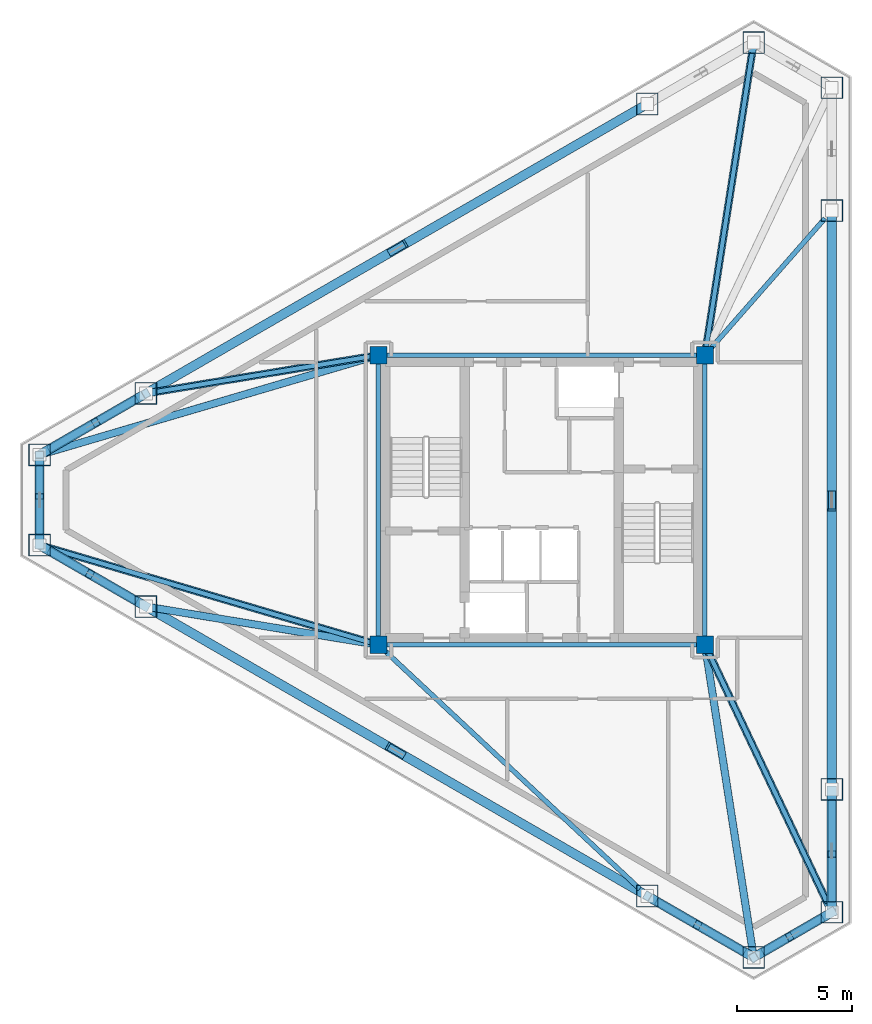
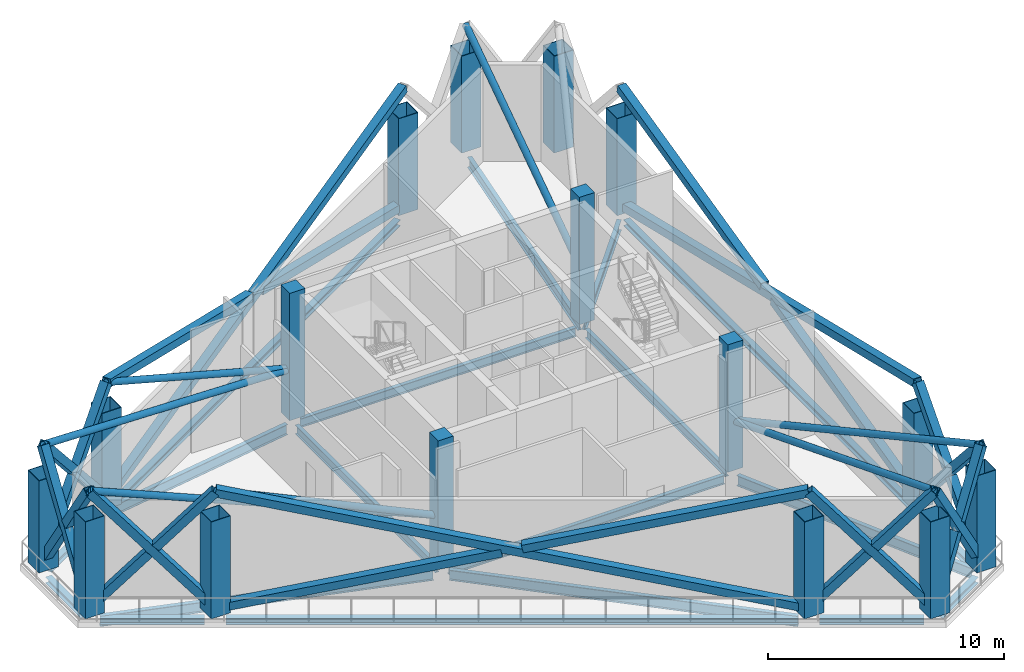
# One storey, part 1 of 6: 34 members, 19 beams, 16 columns.
"""IFC4 building model written with IfcOpenShell, lengths in metres."""

from ifc_helpers import new_model, si_unit, direction, frame, origin, origin_2d, place, context, subcontext, project, spatial, rectangle, hollow_rectangle, hollow_circle, i_section, extrude, material, material_profile, profile_set, type_object, element, save


model = new_model("IFC4")

# Units and contexts
model_context = context("Model", 3, precision=1e-05, world=origin(), true_north=direction((0.0, 1.0)))
body_context = subcontext(model_context, "Body", "Model", "MODEL_VIEW")
ifc_project = project(units=[si_unit("LENGTHUNIT", "METRE"), si_unit("AREAUNIT", "SQUARE_METRE"), si_unit("VOLUMEUNIT", "CUBIC_METRE"), si_unit("PLANEANGLEUNIT", "RADIAN"), si_unit("MASSUNIT", "GRAM", prefix="KILO")], contexts=[model_context])

# Site, building, storey
site_placement = place(None, origin())
site = spatial("IfcSite", under=ifc_project, at=site_placement, CompositionType="ELEMENT")
building_placement = place(site_placement, origin())
building = spatial("IfcBuilding", under=site, at=building_placement, Name="Mersakhor Tower and Convention Hall", CompositionType="ELEMENT")
storey_placement = place(building_placement, frame((0.0, 0.0, 160.800048828125)))
storey = spatial("IfcBuildingStorey", under=building, at=storey_placement, Name="L45", CompositionType="ELEMENT", Elevation=160.800048828125)

# Columns
ifc_material_1 = material(Name="Concrete C60/75 in S460M steel box", Category="concrete")
ifc_material_profile_1 = material_profile(ifc_material_1, hollow_rectangle(XDim=0.949951171875, YDim=0.949951171875, WallThickness=0.028076171875, at=origin_2d()), Name="SHS 950x950x28")
ifc_profile_set_1 = profile_set([ifc_material_profile_1], Name="Concrete C60/75 in S460M steel box")
column_type_1 = type_object("IfcColumnType", Name="COL-CFT-950", PredefinedType="COLUMN", material=ifc_profile_set_1)
column_placement = place(storey_placement, frame((7.160400390625, 28.71240234375, 0.0), z_axis=(0.0, 0.0, 1.0), x_axis=(1.0, 0.0, 0.0)))
element("IfcColumn", 1, at=column_placement, inside=storey, type_object=column_type_1, Name="L45 Perimeter Mega-Column MC-01", PredefinedType="COLUMN", context=body_context, shape_type="SweptSolid", body=[
    extrude(hollow_rectangle(XDim=0.949951171875, YDim=0.949951171875, WallThickness=0.028076171875, at=origin_2d()), origin(), (0.0, 0.0, 1.0), 4.77001953125),
])
for number, where, z_axis, x_axis, name in (
    (2, (11.788330078125, 31.38427734375, 0.0), (0.0, 0.0, 1.0), (1.0, 0.0, 0.0), "L45 Perimeter Mega-Column MC-02"),
    (3, (33.592529296875, 43.972900390625, 0.0), (0.0, 0.0, 1.0), (1.0, 0.0, 0.0), "L45 Perimeter Mega-Column MC-03"),
    (4, (38.220458984375, 46.644775390625, 0.0), (0.0, 0.0, 1.0), (1.0, 0.0, 0.0), "L45 Perimeter Mega-Column MC-04"),
    (5, (41.619140625, 44.6826171875, 0.0), (0.0, 0.0, 1.0), (1.0, 0.0, 0.0), "L45 Perimeter Mega-Column MC-05"),
    (6, (41.619140625, 39.338623046875, 0.0), (0.0, 0.0, 1.0), (1.0, 0.0, 0.0), "L45 Perimeter Mega-Column MC-06"),
    (7, (41.619140625, 14.161376953125, 0.0), (0.0, 0.0, 1.0), (1.0, 0.0, 0.0), "L45 Perimeter Mega-Column MC-07"),
    (8, (41.619140625, 8.8173828125, 0.0), (0.0, 0.0, 1.0), (1.0, 0.0, 0.0), "L45 Perimeter Mega-Column MC-08"),
    (9, (38.220458984375, 6.855224609375, 0.0), (0.0, 0.0, 1.0), (1.0, 0.0, 0.0), "L45 Perimeter Mega-Column MC-09"),
    (10, (33.592529296875, 9.527099609375, 0.0), (0.0, 0.0, 1.0), (1.0, 0.0, 0.0), "L45 Perimeter Mega-Column MC-10"),
    (11, (11.788330078125, 22.11572265625, 0.0), (0.0, 0.0, 1.0), (1.0, 0.0, 0.0), "L45 Perimeter Mega-Column MC-11"),
    (12, (7.160400390625, 24.78759765625, 0.0), (0.0, 0.0, 1.0), (1.0, 0.0, 0.0), "L45 Perimeter Mega-Column MC-12"),
):
    element("IfcColumn", number, at=place(storey_placement, frame(where, z_axis=z_axis, x_axis=x_axis)), inside=storey, type_object=column_type_1, Name=name, PredefinedType="COLUMN", context=body_context, shape_type="SweptSolid", body=[
        extrude(hollow_rectangle(XDim=0.949951171875, YDim=0.949951171875, WallThickness=0.028076171875, at=origin_2d()), origin(), (0.0, 0.0, 1.0), 5.02001953125),
    ])
ifc_material_2 = material(Name="Concrete C50/60", Category="concrete")
ifc_material_profile_2 = material_profile(ifc_material_2, rectangle(XDim=0.75, YDim=0.75, at=origin_2d()), Name="RC 750x750")
ifc_profile_set_2 = profile_set([ifc_material_profile_2], Name="Concrete C50/60")
column_type_2 = type_object("IfcColumnType", Name="COL-RC-750", PredefinedType="COLUMN", material=ifc_profile_set_2)
for number, where, z_axis, x_axis, name in (
    (13, (21.89990234375, 20.449951171875, 0.0), (0.0, 0.0, 1.0), (1.0, 0.0, 0.0), "L45 Core Corner Column CC-1"),
    (14, (21.89990234375, 33.050048828125, 0.0), (0.0, 0.0, 1.0), (1.0, 0.0, 0.0), "L45 Core Corner Column CC-2"),
    (15, (36.10009765625, 33.050048828125, 0.0), (0.0, 0.0, 1.0), (1.0, 0.0, 0.0), "L45 Core Corner Column CC-3"),
    (16, (36.10009765625, 20.449951171875, 0.0), (0.0, 0.0, 1.0), (1.0, 0.0, 0.0), "L45 Core Corner Column CC-4"),
):
    element("IfcColumn", number, at=place(storey_placement, frame(where, z_axis=z_axis, x_axis=x_axis)), inside=storey, type_object=column_type_2, Name=name, PredefinedType="COLUMN", context=body_context, shape_type="SweptSolid", body=[
        extrude(rectangle(XDim=0.75, YDim=0.75, at=origin_2d()), origin(), (0.0, 0.0, 1.0), 6.599853515625),
    ])

# Beams
ifc_material_3 = material(Name="Steel S355", Category="steel")
ifc_material_profile_3 = material_profile(ifc_material_3, i_section(OverallWidth=0.19140625, OverallDepth=0.4599609375, WebThickness=0.010009765625, FlangeThickness=0.01611328125, at=origin_2d()), Name="UB 457x191x82")
ifc_profile_set_3 = profile_set([ifc_material_profile_3], Name="Steel S355")
beam_type_1 = type_object("IfcBeamType", Name="BM-FB-457", PredefinedType="BEAM", material=ifc_profile_set_3)
beam_1_placement = place(storey_placement, frame((21.89990234375, 20.804931640625, -0.550048828125), z_axis=(0.0, 1.0, 0.0), x_axis=(-1.0, 0.0, 0.0)))
element("IfcBeam", 17, at=beam_1_placement, inside=storey, type_object=beam_type_1, Name="L45 Core Ring Tie Beam CRB-1", PredefinedType="BEAM", context=body_context, shape_type="SweptSolid", body=[
    extrude(i_section(OverallWidth=0.19140625, OverallDepth=0.4599609375, WebThickness=0.010009765625, FlangeThickness=0.01611328125, at=origin_2d()), origin(), (0.0, 0.0, 1.0), 11.89013671875),
])
beam_2_placement = place(storey_placement, frame((22.2548828125, 33.050048828125, -0.550048828125), z_axis=(1.0, 0.0, 0.0), x_axis=(0.0, 1.0, 0.0)))
element("IfcBeam", 18, at=beam_2_placement, inside=storey, type_object=beam_type_1, Name="L45 Core Ring Tie Beam CRB-2", PredefinedType="BEAM", context=body_context, shape_type="SweptSolid", body=[
    extrude(i_section(OverallWidth=0.19140625, OverallDepth=0.4599609375, WebThickness=0.010009765625, FlangeThickness=0.01611328125, at=origin_2d()), origin(), (0.0, 0.0, 1.0), 13.490234375),
])
beam_3_placement = place(storey_placement, frame((36.10009765625, 32.695068359375, -0.550048828125), z_axis=(0.0, -1.0, 0.0), x_axis=(1.0, 0.0, 0.0)))
element("IfcBeam", 19, at=beam_3_placement, inside=storey, type_object=beam_type_1, Name="L45 Core Ring Tie Beam CRB-3", PredefinedType="BEAM", context=body_context, shape_type="SweptSolid", body=[
    extrude(i_section(OverallWidth=0.19140625, OverallDepth=0.4599609375, WebThickness=0.010009765625, FlangeThickness=0.01611328125, at=origin_2d()), origin(), (0.0, 0.0, 1.0), 11.89013671875),
])
beam_4_placement = place(storey_placement, frame((35.7451171875, 20.449951171875, -0.550048828125), z_axis=(-1.0, 0.0, 0.0), x_axis=(0.0, -1.0, 0.0)))
element("IfcBeam", 20, at=beam_4_placement, inside=storey, type_object=beam_type_1, Name="L45 Core Ring Tie Beam CRB-4", PredefinedType="BEAM", context=body_context, shape_type="SweptSolid", body=[
    extrude(i_section(OverallWidth=0.19140625, OverallDepth=0.4599609375, WebThickness=0.010009765625, FlangeThickness=0.01611328125, at=origin_2d()), origin(), (0.0, 0.0, 1.0), 13.490234375),
])
ifc_material_4 = material(Name="Steel S355", Category="steel")
ifc_material_profile_4 = material_profile(ifc_material_4, i_section(OverallWidth=0.2099609375, OverallDepth=0.53662109375, WebThickness=0.0107421875, FlangeThickness=0.017333984375, at=origin_2d()), Name="UB 533x210x101")
ifc_profile_set_4 = profile_set([ifc_material_profile_4], Name="Steel S355")
beam_type_2 = type_object("IfcBeamType", Name="BM-FB-533", PredefinedType="BEAM", material=ifc_profile_set_4)
beam_5_placement = place(storey_placement, frame((21.5498046875, 32.9921875, -0.58837890625), z_axis=(-0.986703962282, -0.162527815515, 0.0), x_axis=(0.162527815515, -0.986703962282, 0.0)))
element("IfcBeam", 21, at=beam_5_placement, inside=storey, type_object=beam_type_2, Name="L45 Primary Floor Girder FG-1", PredefinedType="BEAM", context=body_context, shape_type="SweptSolid", body=[
    extrude(i_section(OverallWidth=0.2099609375, OverallDepth=0.53662109375, WebThickness=0.0107421875, FlangeThickness=0.017333984375, at=origin_2d()), origin(), (0.0, 0.0, 1.0), 9.43798828125),
])
beam_6_placement = place(storey_placement, frame((36.15478515625, 33.40087890625, -0.58837890625), z_axis=(0.154111159783, 0.988053515975, 0.0), x_axis=(-0.988053515975, 0.154111159783, 0.0)))
element("IfcBeam", 22, at=beam_6_placement, inside=storey, type_object=beam_type_2, Name="L45 Primary Floor Girder FG-2", PredefinedType="BEAM", context=body_context, shape_type="SweptSolid", body=[
    extrude(i_section(OverallWidth=0.2099609375, OverallDepth=0.53662109375, WebThickness=0.0107421875, FlangeThickness=0.017333984375, at=origin_2d()), origin(), (0.0, 0.0, 1.0), 12.94921875),
])
beam_7_placement = place(storey_placement, frame((36.334228515625, 33.31689453125, -0.58837890625), z_axis=(0.65963831109, 0.751583194691, 0.0), x_axis=(-0.751583194691, 0.65963831109, 0.0)))
element("IfcBeam", 23, at=beam_7_placement, inside=storey, type_object=beam_type_2, Name="L45 Primary Floor Girder FG-3", PredefinedType="BEAM", context=body_context, shape_type="SweptSolid", body=[
    extrude(i_section(OverallWidth=0.2099609375, OverallDepth=0.53662109375, WebThickness=0.0107421875, FlangeThickness=0.017333984375, at=origin_2d()), origin(), (0.0, 0.0, 1.0), 7.556884765625),
])
beam_8_placement = place(storey_placement, frame((36.252197265625, 20.12939453125, -0.58837890625), z_axis=(0.428664675599, -0.903463666061, 0.0), x_axis=(0.903463666061, 0.428664675599, 0.0)))
element("IfcBeam", 24, at=beam_8_placement, inside=storey, type_object=beam_type_2, Name="L45 Primary Floor Girder FG-4", PredefinedType="BEAM", context=body_context, shape_type="SweptSolid", body=[
    extrude(i_section(OverallWidth=0.2099609375, OverallDepth=0.53662109375, WebThickness=0.0107421875, FlangeThickness=0.017333984375, at=origin_2d()), origin(), (0.0, 0.0, 1.0), 12.065673828125),
])
beam_9_placement = place(storey_placement, frame((22.159423828125, 20.207763671875, -0.58837890625), z_axis=(0.730740936679, -0.682654878736, 0.0), x_axis=(0.682654878736, 0.730740936679, 0.0)))
element("IfcBeam", 25, at=beam_9_placement, inside=storey, type_object=beam_type_2, Name="L45 Primary Floor Girder FG-5", PredefinedType="BEAM", context=body_context, shape_type="SweptSolid", body=[
    extrude(i_section(OverallWidth=0.2099609375, OverallDepth=0.53662109375, WebThickness=0.0107421875, FlangeThickness=0.017333984375, at=origin_2d()), origin(), (0.0, 0.0, 1.0), 15.19091796875),
])
beam_10_placement = place(storey_placement, frame((21.559326171875, 20.55029296875, -0.58837890625), z_axis=(-0.959324090351, 0.282307083992, 0.0), x_axis=(-0.282307083992, -0.959324090351, 0.0)))
element("IfcBeam", 26, at=beam_10_placement, inside=storey, type_object=beam_type_2, Name="L45 Primary Floor Girder FG-6", PredefinedType="BEAM", context=body_context, shape_type="SweptSolid", body=[
    extrude(i_section(OverallWidth=0.2099609375, OverallDepth=0.53662109375, WebThickness=0.0107421875, FlangeThickness=0.017333984375, at=origin_2d()), origin(), (0.0, 0.0, 1.0), 14.5546875),
])
ifc_material_5 = material(Name="Steel S355", Category="steel")
ifc_material_profile_5 = material_profile(ifc_material_5, i_section(OverallWidth=0.30908203125, OverallDepth=0.320556640625, WebThickness=0.013916015625, FlangeThickness=0.021728515625, at=origin_2d()), Name="UC 305x305x137")
ifc_profile_set_5 = profile_set([ifc_material_profile_5], Name="Steel S355")
beam_type_3 = type_object("IfcBeamType", Name="BM-SPD-UC305", PredefinedType="SPANDREL", material=ifc_profile_set_5)
beam_11_placement = place(storey_placement, frame((7.55419921875, 28.939697265625, -0.48046875), z_axis=(0.866028798401, 0.499994120305, 0.0), x_axis=(-0.499994120305, 0.866028798401, 0.0)))
element("IfcBeam", 27, at=beam_11_placement, inside=storey, type_object=beam_type_3, Name="L45 Perimeter Spandrel Beam SPB-01", PredefinedType="SPANDREL", context=body_context, shape_type="SweptSolid", body=[
    extrude(i_section(OverallWidth=0.30908203125, OverallDepth=0.320556640625, WebThickness=0.013916015625, FlangeThickness=0.021728515625, at=origin_2d()), origin(), (0.0, 0.0, 1.0), 4.43408203125),
])
beam_12_placement = place(storey_placement, frame((12.182373046875, 31.61181640625, -0.48046875), z_axis=(0.866027433267, 0.499996484816, 0.0), x_axis=(-0.499996484816, 0.866027433267, 0.0)))
element("IfcBeam", 28, at=beam_12_placement, inside=storey, type_object=beam_type_3, Name="L45 Perimeter Spandrel Beam SPB-02", PredefinedType="SPANDREL", context=body_context, shape_type="SweptSolid", body=[
    extrude(i_section(OverallWidth=0.30908203125, OverallDepth=0.320556640625, WebThickness=0.013916015625, FlangeThickness=0.021728515625, at=origin_2d()), origin(), (0.0, 0.0, 1.0), 24.267333984375),
])
beam_13_placement = place(storey_placement, frame((41.619140625, 38.8837890625, -0.48046875), z_axis=(0.0, -1.0, 0.0), x_axis=(1.0, 0.0, 0.0)))
element("IfcBeam", 29, at=beam_13_placement, inside=storey, type_object=beam_type_3, Name="L45 Perimeter Spandrel Beam SPB-06", PredefinedType="SPANDREL", context=body_context, shape_type="SweptSolid", body=[
    extrude(i_section(OverallWidth=0.30908203125, OverallDepth=0.320556640625, WebThickness=0.013916015625, FlangeThickness=0.021728515625, at=origin_2d()), origin(), (0.0, 0.0, 1.0), 24.267578125),
])
beam_14_placement = place(storey_placement, frame((41.619140625, 13.706298828125, -0.48046875), z_axis=(0.0, -1.0, 0.0), x_axis=(1.0, 0.0, 0.0)))
element("IfcBeam", 30, at=beam_14_placement, inside=storey, type_object=beam_type_3, Name="L45 Perimeter Spandrel Beam SPB-07", PredefinedType="SPANDREL", context=body_context, shape_type="SweptSolid", body=[
    extrude(i_section(OverallWidth=0.30908203125, OverallDepth=0.320556640625, WebThickness=0.013916015625, FlangeThickness=0.021728515625, at=origin_2d()), origin(), (0.0, 0.0, 1.0), 4.433837890625),
])
beam_15_placement = place(storey_placement, frame((41.22509765625, 8.58984375, -0.48046875), z_axis=(-0.86604667077, -0.499963162692, 0.0), x_axis=(0.499963162692, -0.86604667077, 0.0)))
element("IfcBeam", 31, at=beam_15_placement, inside=storey, type_object=beam_type_3, Name="L45 Perimeter Spandrel Beam SPB-08", PredefinedType="SPANDREL", context=body_context, shape_type="SweptSolid", body=[
    extrude(i_section(OverallWidth=0.30908203125, OverallDepth=0.320556640625, WebThickness=0.013916015625, FlangeThickness=0.021728515625, at=origin_2d()), origin(), (0.0, 0.0, 1.0), 3.014404296875),
])
beam_16_placement = place(storey_placement, frame((37.826416015625, 7.082763671875, -0.48046875), z_axis=(-0.866038875684, 0.49997666526, 0.0), x_axis=(-0.49997666526, -0.866038875684, 0.0)))
element("IfcBeam", 32, at=beam_16_placement, inside=storey, type_object=beam_type_3, Name="L45 Perimeter Spandrel Beam SPB-09", PredefinedType="SPANDREL", context=body_context, shape_type="SweptSolid", body=[
    extrude(i_section(OverallWidth=0.30908203125, OverallDepth=0.320556640625, WebThickness=0.013916015625, FlangeThickness=0.021728515625, at=origin_2d()), origin(), (0.0, 0.0, 1.0), 4.433837890625),
])
beam_17_placement = place(storey_placement, frame((33.198486328125, 9.754638671875, -0.48046875), z_axis=(-0.866027433267, 0.499996484816, 0.0), x_axis=(-0.499996484816, -0.866027433267, 0.0)))
element("IfcBeam", 33, at=beam_17_placement, inside=storey, type_object=beam_type_3, Name="L45 Perimeter Spandrel Beam SPB-10", PredefinedType="SPANDREL", context=body_context, shape_type="SweptSolid", body=[
    extrude(i_section(OverallWidth=0.30908203125, OverallDepth=0.320556640625, WebThickness=0.013916015625, FlangeThickness=0.021728515625, at=origin_2d()), origin(), (0.0, 0.0, 1.0), 24.267333984375),
])
beam_18_placement = place(storey_placement, frame((11.394287109375, 22.34326171875, -0.48046875), z_axis=(-0.866028798401, 0.499994120305, 0.0), x_axis=(-0.499994120305, -0.866028798401, 0.0)))
element("IfcBeam", 34, at=beam_18_placement, inside=storey, type_object=beam_type_3, Name="L45 Perimeter Spandrel Beam SPB-11", PredefinedType="SPANDREL", context=body_context, shape_type="SweptSolid", body=[
    extrude(i_section(OverallWidth=0.30908203125, OverallDepth=0.320556640625, WebThickness=0.013916015625, FlangeThickness=0.021728515625, at=origin_2d()), origin(), (0.0, 0.0, 1.0), 4.43408203125),
])
beam_19_placement = place(storey_placement, frame((7.160400390625, 25.24267578125, -0.48046875), z_axis=(0.0, 1.0, 0.0), x_axis=(-1.0, 0.0, 0.0)))
element("IfcBeam", 35, at=beam_19_placement, inside=storey, type_object=beam_type_3, Name="L45 Perimeter Spandrel Beam SPB-12", PredefinedType="SPANDREL", context=body_context, shape_type="SweptSolid", body=[
    extrude(i_section(OverallWidth=0.30908203125, OverallDepth=0.320556640625, WebThickness=0.013916015625, FlangeThickness=0.021728515625, at=origin_2d()), origin(), (0.0, 0.0, 1.0), 3.0146484375),
])

# Members
ifc_material_6 = material(Name="Steel S460", Category="steel")
ifc_material_profile_6 = material_profile(ifc_material_6, hollow_rectangle(XDim=0.39990234375, YDim=0.39990234375, WallThickness=0.02490234375, at=origin_2d()), Name="SHS 400x400x25")
ifc_profile_set_6 = profile_set([ifc_material_profile_6], Name="Steel S460")
member_type_1 = type_object("IfcMemberType", Name="MB-BRC-SHS400", PredefinedType="BRACE", material=ifc_profile_set_6)
member_1_placement = place(storey_placement, frame((7.160400390625, 28.71240234375, 0.199951171875), z_axis=(0.575991748478, 0.332541342865, 0.746759506783), x_axis=(-0.499991375441, 0.866030383119, 0.0)))
element("IfcMember", 36, at=member_1_placement, inside=storey, type_object=member_type_1, Name="L45 Wind Zone Perimeter Diagonal WD-01A", PredefinedType="BRACE", context=body_context, shape_type="SweptSolid", body=[
    extrude(hollow_rectangle(XDim=0.39990234375, YDim=0.39990234375, WallThickness=0.02490234375, at=origin_2d()), origin(), (0.0, 0.0, 1.0), 8.03466796875),
])
for number, where, z_axis, x_axis, name in (
    (37, (11.788330078125, 31.38427734375, 0.199951171875), (-0.575976575394, -0.33254569196, 0.746769273173), (0.500006158363, -0.866021848223, 0.0), "L45 Wind Zone Perimeter Diagonal WD-01B Lower Half"),
    (38, (9.353759765625, 29.978515625, 3.356201171875), (-0.575988854401, -0.332488668625, 0.74678519324), (0.499933856714, -0.866063588261, 0.0), "L45 Wind Zone Perimeter Diagonal WD-01B Upper Half"),
):
    element("IfcMember", number, at=place(storey_placement, frame(where, z_axis=z_axis, x_axis=x_axis)), inside=storey, type_object=member_type_1, Name=name, PredefinedType="BRACE", context=body_context, shape_type="SweptSolid", body=[
        extrude(hollow_rectangle(XDim=0.39990234375, YDim=0.39990234375, WallThickness=0.02490234375, at=origin_2d()), origin(), (0.0, 0.0, 1.0), 3.80810546875),
    ])
member_2_placement = place(storey_placement, frame((11.788330078125, 31.38427734375, 0.199951171875), z_axis=(0.84243475602, 0.486378494286, 0.231818122987), x_axis=(-0.499998890621, 0.866026044284, 0.0)))
element("IfcMember", 39, at=member_2_placement, inside=storey, type_object=member_type_1, Name="L45 Wind Zone Perimeter Diagonal WD-02A", PredefinedType="BRACE", context=body_context, shape_type="SweptSolid", body=[
    extrude(hollow_rectangle(XDim=0.39990234375, YDim=0.39990234375, WallThickness=0.02490234375, at=origin_2d()), origin(), (0.0, 0.0, 1.0), 25.88232421875),
])
for number, where, z_axis, x_axis, name in (
    (40, (33.592529296875, 43.972900390625, 0.199951171875), (-0.842435734185, -0.486379236095, 0.23181301185), (0.499999027141, -0.866025965464, 0.0), "L45 Wind Zone Perimeter Diagonal WD-02B Lower Half"),
    (41, (22.31005859375, 37.458984375, 3.3046875), (-0.842435734185, -0.486379236095, 0.23181301185), (0.499999027141, -0.866025965464, 0.0), "L45 Wind Zone Perimeter Diagonal WD-02B Upper Half"),
):
    element("IfcMember", number, at=place(storey_placement, frame(where, z_axis=z_axis, x_axis=x_axis)), inside=storey, type_object=member_type_1, Name=name, PredefinedType="BRACE", context=body_context, shape_type="SweptSolid", body=[
        extrude(hollow_rectangle(XDim=0.39990234375, YDim=0.39990234375, WallThickness=0.02490234375, at=origin_2d()), origin(), (0.0, 0.0, 1.0), 12.48974609375),
    ])
member_3_placement = place(storey_placement, frame((41.619140625, 39.338623046875, 0.199951171875), z_axis=(0.0, -0.972759030901, 0.231818609695), x_axis=(1.0, 0.0, 0.0)))
element("IfcMember", 42, at=member_3_placement, inside=storey, type_object=member_type_1, Name="L45 Wind Zone Perimeter Diagonal WD-06A", PredefinedType="BRACE", context=body_context, shape_type="SweptSolid", body=[
    extrude(hollow_rectangle(XDim=0.39990234375, YDim=0.39990234375, WallThickness=0.02490234375, at=origin_2d()), origin(), (0.0, 0.0, 1.0), 25.88232421875),
])
for number, where, z_axis, x_axis, name in (
    (43, (41.619140625, 14.161376953125, 0.199951171875), (0.0, 0.972760263199, 0.231813438656), (-1.0, 0.0, 0.0), "L45 Wind Zone Perimeter Diagonal WD-06B Lower Half"),
    (44, (41.619140625, 27.189208984375, 3.3046875), (0.0, 0.972760263199, 0.231813438656), (-1.0, 0.0, 0.0), "L45 Wind Zone Perimeter Diagonal WD-06B Upper Half"),
):
    element("IfcMember", number, at=place(storey_placement, frame(where, z_axis=z_axis, x_axis=x_axis)), inside=storey, type_object=member_type_1, Name=name, PredefinedType="BRACE", context=body_context, shape_type="SweptSolid", body=[
        extrude(hollow_rectangle(XDim=0.39990234375, YDim=0.39990234375, WallThickness=0.02490234375, at=origin_2d()), origin(), (0.0, 0.0, 1.0), 12.48974609375),
    ])
member_4_placement = place(storey_placement, frame((41.619140625, 14.161376953125, 0.199951171875), z_axis=(0.0, -0.66510470489, 0.746750113179), x_axis=(1.0, 0.0, 0.0)))
element("IfcMember", 45, at=member_4_placement, inside=storey, type_object=member_type_1, Name="L45 Wind Zone Perimeter Diagonal WD-07A", PredefinedType="BRACE", context=body_context, shape_type="SweptSolid", body=[
    extrude(hollow_rectangle(XDim=0.39990234375, YDim=0.39990234375, WallThickness=0.02490234375, at=origin_2d()), origin(), (0.0, 0.0, 1.0), 8.034912109375),
])
for number, where, z_axis, x_axis, name in (
    (46, (41.619140625, 8.8173828125, 0.199951171875), (0.0, 0.665087760425, 0.746765204688), (-1.0, 0.0, 0.0), "L45 Wind Zone Perimeter Diagonal WD-07B Lower Half"),
    (47, (41.619140625, 11.628662109375, 3.356201171875), (0.0, 0.665087760425, 0.746765204688), (-1.0, 0.0, 0.0), "L45 Wind Zone Perimeter Diagonal WD-07B Upper Half"),
):
    element("IfcMember", number, at=place(storey_placement, frame(where, z_axis=z_axis, x_axis=x_axis)), inside=storey, type_object=member_type_1, Name=name, PredefinedType="BRACE", context=body_context, shape_type="SweptSolid", body=[
        extrude(hollow_rectangle(XDim=0.39990234375, YDim=0.39990234375, WallThickness=0.02490234375, at=origin_2d()), origin(), (0.0, 0.0, 1.0), 3.80810546875),
    ])
member_5_placement = place(storey_placement, frame((41.619140625, 8.8173828125, 0.199951171875), z_axis=(-0.474050131864, -0.273682990431, 0.836883560138), x_axis=(0.499986324622, -0.866033299124, 0.0)))
element("IfcMember", 48, at=member_5_placement, inside=storey, type_object=member_type_1, Name="L45 Wind Zone Perimeter Diagonal WD-08A", PredefinedType="BRACE", context=body_context, shape_type="SweptSolid", body=[
    extrude(hollow_rectangle(XDim=0.39990234375, YDim=0.39990234375, WallThickness=0.02490234375, at=origin_2d()), origin(), (0.0, 0.0, 1.0), 7.16943359375),
])
for number, where, z_axis, x_axis, name in (
    (49, (38.220458984375, 6.855224609375, 0.199951171875), (0.474051102869, 0.273700721101, 0.836877211506), (-0.500009850223, 0.866019716681, 0.0), "L45 Wind Zone Perimeter Diagonal WD-08B Lower Half"),
    (50, (40.027099609375, 7.898193359375, 3.389404296875), (0.474051102869, 0.273700721101, 0.836877211506), (-0.500009850223, 0.866019716681, 0.0), "L45 Wind Zone Perimeter Diagonal WD-08B Upper Half"),
):
    element("IfcMember", number, at=place(storey_placement, frame(where, z_axis=z_axis, x_axis=x_axis)), inside=storey, type_object=member_type_1, Name=name, PredefinedType="BRACE", context=body_context, shape_type="SweptSolid", body=[
        extrude(hollow_rectangle(XDim=0.39990234375, YDim=0.39990234375, WallThickness=0.02490234375, at=origin_2d()), origin(), (0.0, 0.0, 1.0), 3.3583984375),
    ])
member_6_placement = place(storey_placement, frame((38.220458984375, 6.855224609375, 0.199951171875), z_axis=(-0.575991748478, 0.332541342865, 0.746759506783), x_axis=(-0.499991375441, -0.866030383119, 0.0)))
element("IfcMember", 51, at=member_6_placement, inside=storey, type_object=member_type_1, Name="L45 Wind Zone Perimeter Diagonal WD-09A", PredefinedType="BRACE", context=body_context, shape_type="SweptSolid", body=[
    extrude(hollow_rectangle(XDim=0.39990234375, YDim=0.39990234375, WallThickness=0.02490234375, at=origin_2d()), origin(), (0.0, 0.0, 1.0), 8.03466796875),
])
for number, where, z_axis, x_axis, name in (
    (52, (33.592529296875, 9.527099609375, 0.199951171875), (0.575976575394, -0.33254569196, 0.746769273173), (0.500006158363, 0.866021848223, 0.0), "L45 Wind Zone Perimeter Diagonal WD-09B Lower Half"),
    (53, (36.027099609375, 8.12158203125, 3.356201171875), (0.575976575394, -0.33254569196, 0.746769273173), (0.500006158363, 0.866021848223, 0.0), "L45 Wind Zone Perimeter Diagonal WD-09B Upper Half"),
):
    element("IfcMember", number, at=place(storey_placement, frame(where, z_axis=z_axis, x_axis=x_axis)), inside=storey, type_object=member_type_1, Name=name, PredefinedType="BRACE", context=body_context, shape_type="SweptSolid", body=[
        extrude(hollow_rectangle(XDim=0.39990234375, YDim=0.39990234375, WallThickness=0.02490234375, at=origin_2d()), origin(), (0.0, 0.0, 1.0), 3.80810546875),
    ])
member_7_placement = place(storey_placement, frame((33.592529296875, 9.527099609375, 0.199951171875), z_axis=(-0.84243475602, 0.486378494286, 0.231818122987), x_axis=(-0.499998890621, -0.866026044284, 0.0)))
element("IfcMember", 54, at=member_7_placement, inside=storey, type_object=member_type_1, Name="L45 Wind Zone Perimeter Diagonal WD-10A", PredefinedType="BRACE", context=body_context, shape_type="SweptSolid", body=[
    extrude(hollow_rectangle(XDim=0.39990234375, YDim=0.39990234375, WallThickness=0.02490234375, at=origin_2d()), origin(), (0.0, 0.0, 1.0), 25.88232421875),
])
for number, where, z_axis, x_axis, name in (
    (55, (11.788330078125, 22.11572265625, 0.199951171875), (0.842435734185, -0.486379236095, 0.23181301185), (0.499999027141, 0.866025965464, 0.0), "L45 Wind Zone Perimeter Diagonal WD-10B Lower Half"),
    (56, (23.07080078125, 15.601806640625, 3.3046875), (0.842435734185, -0.486379236095, 0.23181301185), (0.499999027141, 0.866025965464, 0.0), "L45 Wind Zone Perimeter Diagonal WD-10B Upper Half"),
):
    element("IfcMember", number, at=place(storey_placement, frame(where, z_axis=z_axis, x_axis=x_axis)), inside=storey, type_object=member_type_1, Name=name, PredefinedType="BRACE", context=body_context, shape_type="SweptSolid", body=[
        extrude(hollow_rectangle(XDim=0.39990234375, YDim=0.39990234375, WallThickness=0.02490234375, at=origin_2d()), origin(), (0.0, 0.0, 1.0), 12.48974609375),
    ])
member_8_placement = place(storey_placement, frame((11.788330078125, 22.11572265625, 0.199951171875), z_axis=(-0.575991748478, 0.332541342865, 0.746759506783), x_axis=(-0.499991375441, -0.866030383119, 0.0)))
element("IfcMember", 57, at=member_8_placement, inside=storey, type_object=member_type_1, Name="L45 Wind Zone Perimeter Diagonal WD-11A", PredefinedType="BRACE", context=body_context, shape_type="SweptSolid", body=[
    extrude(hollow_rectangle(XDim=0.39990234375, YDim=0.39990234375, WallThickness=0.02490234375, at=origin_2d()), origin(), (0.0, 0.0, 1.0), 8.03466796875),
])
for number, where, z_axis, x_axis, name in (
    (58, (7.160400390625, 24.78759765625, 0.199951171875), (0.575988854401, -0.332488668625, 0.74678519324), (0.499933856714, 0.866063588261, 0.0), "L45 Wind Zone Perimeter Diagonal WD-11B Lower Half"),
    (59, (9.594970703125, 23.382080078125, 3.356201171875), (0.575976575394, -0.33254569196, 0.746769273173), (0.500006158363, 0.866021848223, 0.0), "L45 Wind Zone Perimeter Diagonal WD-11B Upper Half"),
):
    element("IfcMember", number, at=place(storey_placement, frame(where, z_axis=z_axis, x_axis=x_axis)), inside=storey, type_object=member_type_1, Name=name, PredefinedType="BRACE", context=body_context, shape_type="SweptSolid", body=[
        extrude(hollow_rectangle(XDim=0.39990234375, YDim=0.39990234375, WallThickness=0.02490234375, at=origin_2d()), origin(), (0.0, 0.0, 1.0), 3.80810546875),
    ])
member_9_placement = place(storey_placement, frame((7.160400390625, 24.78759765625, 0.199951171875), z_axis=(0.0, 0.547418164531, 0.836859219428), x_axis=(-1.0, 0.0, 0.0)))
element("IfcMember", 60, at=member_9_placement, inside=storey, type_object=member_type_1, Name="L45 Wind Zone Perimeter Diagonal WD-12A", PredefinedType="BRACE", context=body_context, shape_type="SweptSolid", body=[
    extrude(hollow_rectangle(XDim=0.39990234375, YDim=0.39990234375, WallThickness=0.02490234375, at=origin_2d()), origin(), (0.0, 0.0, 1.0), 7.169677734375),
])
for number, where, z_axis, x_axis, name in (
    (61, (7.160400390625, 28.71240234375, 0.199951171875), (0.0, -0.547449120638, 0.836838969165), (1.0, 0.0, 0.0), "L45 Wind Zone Perimeter Diagonal WD-12B Lower Half"),
    (62, (7.160400390625, 26.626220703125, 3.389404296875), (0.0, -0.547449120638, 0.836838969165), (1.0, 0.0, 0.0), "L45 Wind Zone Perimeter Diagonal WD-12B Upper Half"),
):
    element("IfcMember", number, at=place(storey_placement, frame(where, z_axis=z_axis, x_axis=x_axis)), inside=storey, type_object=member_type_1, Name=name, PredefinedType="BRACE", context=body_context, shape_type="SweptSolid", body=[
        extrude(hollow_rectangle(XDim=0.39990234375, YDim=0.39990234375, WallThickness=0.02490234375, at=origin_2d()), origin(), (0.0, 0.0, 1.0), 3.358642578125),
    ])
ifc_material_7 = material(Name="Steel S355", Category="steel")
ifc_material_profile_7 = material_profile(ifc_material_7, hollow_circle(Radius=0.161865234375, WallThickness=0.02001953125, at=origin_2d()), Name="CHS 323.9x20")
ifc_profile_set_7 = profile_set([ifc_material_profile_7], Name="Steel S355")
member_type_2 = type_object("IfcMemberType", Name="MB-STR-CHS324", PredefinedType="STRUT", material=ifc_profile_set_7)
member_10_placement = place(storey_placement, frame((21.89990234375, 33.050048828125, 2.3798828125), z_axis=(-0.930977982694, -0.273974886431, 0.241283562109), x_axis=(0.28231600957, -0.959321463713, 0.0)))
element("IfcMember", 63, at=member_10_placement, inside=storey, type_object=member_type_2, Name="L45 Radial Structural Strut RS-1", PredefinedType="STRUT", context=body_context, shape_type="SweptSolid", body=[
    extrude(hollow_circle(Radius=0.161865234375, WallThickness=0.02001953125, at=origin_2d()), origin(), (0.0, 0.0, 1.0), 15.832275390625),
])
member_11_placement = place(storey_placement, frame((21.89990234375, 33.050048828125, 2.3798828125), z_axis=(-0.924553444412, -0.152310117855, 0.349288643424), x_axis=(0.162548186466, -0.986700606606, 0.0)))
element("IfcMember", 64, at=member_11_placement, inside=storey, type_object=member_type_2, Name="L45 Radial Structural Strut RS-2", PredefinedType="STRUT", context=body_context, shape_type="SweptSolid", body=[
    extrude(hollow_circle(Radius=0.161865234375, WallThickness=0.02001953125, at=origin_2d()), origin(), (0.0, 0.0, 1.0), 10.936767578125),
])
member_12_placement = place(storey_placement, frame((36.10009765625, 33.050048828125, 2.3798828125), z_axis=(0.148489403802, 0.952041906886, 0.267520288001), x_axis=(-0.988054284465, 0.15410623268, 0.0)))
element("IfcMember", 65, at=member_12_placement, inside=storey, type_object=member_type_2, Name="L45 Radial Structural Strut RS-3", PredefinedType="STRUT", context=body_context, shape_type="SweptSolid", body=[
    extrude(hollow_circle(Radius=0.161865234375, WallThickness=0.02001953125, at=origin_2d()), origin(), (0.0, 0.0, 1.0), 14.279541015625),
])
member_13_placement = place(storey_placement, frame((36.10009765625, 20.449951171875, 2.3798828125), z_axis=(0.410943712388, -0.866152130591, 0.284439364228), x_axis=(0.903470868878, 0.428649494446, 0.0)))
element("IfcMember", 66, at=member_13_placement, inside=storey, type_object=member_type_2, Name="L45 Radial Structural Strut RS-5", PredefinedType="STRUT", context=body_context, shape_type="SweptSolid", body=[
    extrude(hollow_circle(Radius=0.161865234375, WallThickness=0.02001953125, at=origin_2d()), origin(), (0.0, 0.0, 1.0), 13.43017578125),
])
member_14_placement = place(storey_placement, frame((36.10009765625, 20.449951171875, 2.3798828125), z_axis=(0.148489403802, -0.952041906886, 0.267520288001), x_axis=(0.988054284465, 0.15410623268, 0.0)))
element("IfcMember", 67, at=member_14_placement, inside=storey, type_object=member_type_2, Name="L45 Radial Structural Strut RS-6", PredefinedType="STRUT", context=body_context, shape_type="SweptSolid", body=[
    extrude(hollow_circle(Radius=0.161865234375, WallThickness=0.02001953125, at=origin_2d()), origin(), (0.0, 0.0, 1.0), 14.279541015625),
])
member_15_placement = place(storey_placement, frame((21.89990234375, 20.449951171875, 2.3798828125), z_axis=(-0.924553444412, 0.152310117855, 0.349288643424), x_axis=(-0.162548186466, -0.986700606606, 0.0)))
element("IfcMember", 68, at=member_15_placement, inside=storey, type_object=member_type_2, Name="L45 Radial Structural Strut RS-7", PredefinedType="STRUT", context=body_context, shape_type="SweptSolid", body=[
    extrude(hollow_circle(Radius=0.161865234375, WallThickness=0.02001953125, at=origin_2d()), origin(), (0.0, 0.0, 1.0), 10.936767578125),
])
member_16_placement = place(storey_placement, frame((21.89990234375, 20.449951171875, 2.3798828125), z_axis=(-0.930977982694, 0.273974886431, 0.241283562109), x_axis=(-0.28231600957, -0.959321463713, 0.0)))
element("IfcMember", 69, at=member_16_placement, inside=storey, type_object=member_type_2, Name="L45 Radial Structural Strut RS-8", PredefinedType="STRUT", context=body_context, shape_type="SweptSolid", body=[
    extrude(hollow_circle(Radius=0.161865234375, WallThickness=0.02001953125, at=origin_2d()), origin(), (0.0, 0.0, 1.0), 15.832275390625),
])

save(model, "model.ifc")
